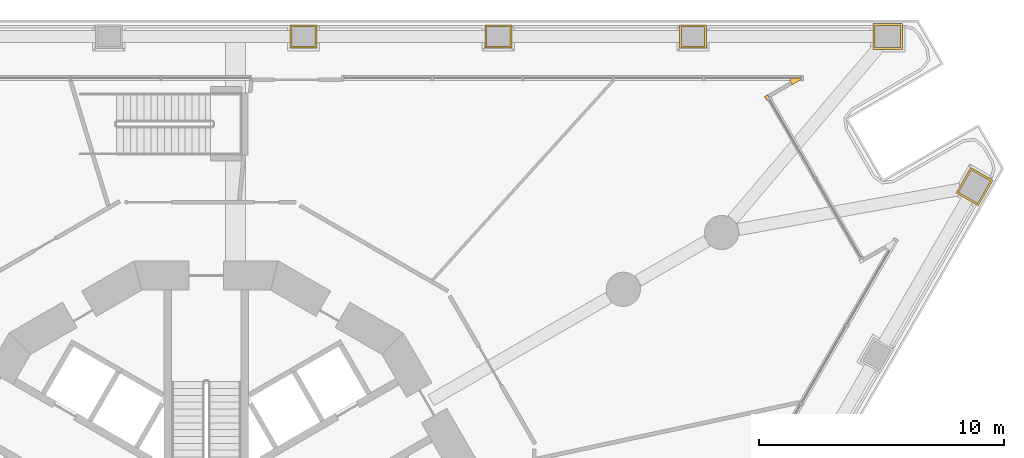
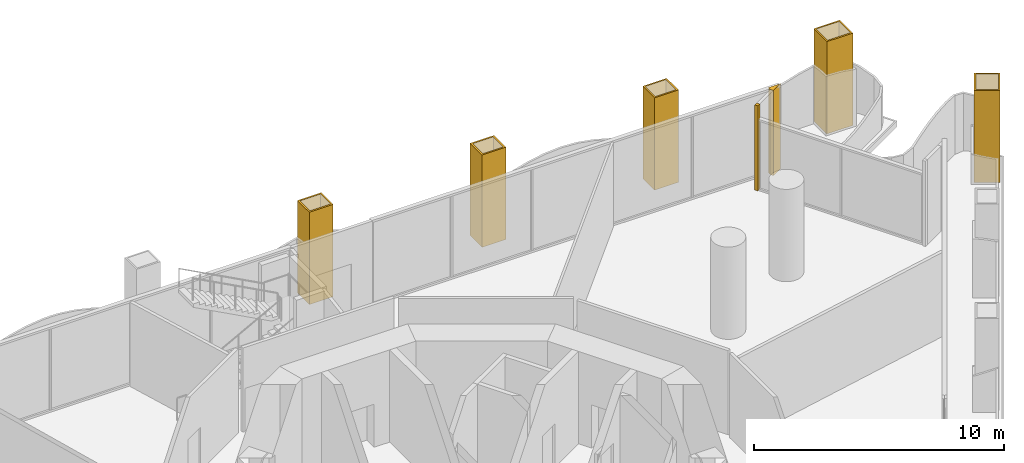
# One storey, part 21 of 21: 7 coverings.
"""IFC4 building model written with IfcOpenShell, lengths in metres."""

from ifc_helpers import new_model, si_unit, direction, frame, origin, place, context, subcontext, project, spatial, polyline, outline, extrude, material, layer, layer_set, type_object, element, save


model = new_model("IFC4")

# Units and contexts
model_context = context("Model", 3, precision=1e-05, world=origin(), true_north=direction((0.0, 1.0)))
body_context = subcontext(model_context, "Body", "Model", "MODEL_VIEW")
ifc_project = project(units=[si_unit("LENGTHUNIT", "METRE"), si_unit("AREAUNIT", "SQUARE_METRE"), si_unit("VOLUMEUNIT", "CUBIC_METRE"), si_unit("PLANEANGLEUNIT", "RADIAN"), si_unit("MASSUNIT", "GRAM", prefix="KILO")], contexts=[model_context])

# Site, building, storey
site_placement = place(None, origin())
site = spatial("IfcSite", under=ifc_project, at=site_placement, CompositionType="ELEMENT")
building_placement = place(site_placement, origin())
building = spatial("IfcBuilding", under=site, at=building_placement, Name="Trine Commons Tower", CompositionType="ELEMENT")
storey_placement = place(building_placement, frame((0.0, 0.0, 9.0)))
storey = spatial("IfcBuildingStorey", under=building, at=storey_placement, Name="L01", CompositionType="ELEMENT", Elevation=9.0)

# Coverings
ifc_material_1 = material(Name="Aluminium-framed insulated wall panel", Category="aluminium")
ifc_layer_1 = layer(ifc_material_1, 0.14990234375)
ifc_layer_set_1 = layer_set([ifc_layer_1], Name="Aluminium-framed insulated wall panel")
covering_type_1 = type_object("IfcCoveringType", Name="Glazing corner post, aluminium", PredefinedType="CLADDING", material=ifc_layer_set_1)
covering_1_placement = place(storey_placement, origin())
element("IfcCovering", 1, at=covering_1_placement, inside=storey, type_object=covering_type_1, Name="Glazing corner post 1-05", PredefinedType="CLADDING", context=body_context, shape_type="SweptSolid", body=[
    extrude(outline(polyline([(103.96875, 80.714599609375), (104.45361328125, 80.99462890625), (103.893798828125, 80.99462890625), (103.893798828125, 80.844482421875), (103.96875, 80.714599609375)])), origin(), (0.0, 0.0, 1.0), 4.14990234375),
])
covering_2_placement = place(storey_placement, origin())
element("IfcCovering", 2, at=covering_2_placement, inside=storey, type_object=covering_type_1, Name="Glazing corner post 1-06", PredefinedType="CLADDING", context=body_context, shape_type="SweptSolid", body=[
    extrude(outline(polyline([(102.898681640625, 80.0966796875), (103.028564453125, 80.171875), (102.95361328125, 80.3017578125), (102.823486328125, 80.226806640625), (102.898681640625, 80.0966796875)])), origin(), (0.0, 0.0, 1.0), 4.14990234375),
])
ifc_material_2 = material(Name="Limestone, honed", Category="masonry")
ifc_layer_2 = layer(ifc_material_2, 0.074951171875)
ifc_layer_set_2 = layer_set([ifc_layer_2], Name="Limestone, honed")
covering_type_2 = type_object("IfcCoveringType", Name="Limestone column cladding 75", PredefinedType="CLADDING", material=ifc_layer_set_2)
covering_3_placement = place(storey_placement, origin())
element("IfcCovering", 3, at=covering_3_placement, inside=storey, type_object=covering_type_2, Name="Limestone pier cladding 1-13", PredefinedType="CLADDING", context=body_context, shape_type="SweptSolid", body=[
    extrude(outline(polyline([(84.53173828125, 82.209716796875), (84.53173828125, 83.15966796875), (83.431640625, 83.15966796875), (83.431640625, 82.209716796875), (84.53173828125, 82.209716796875)]), holes=[polyline([(84.456787109375, 82.28466796875), (84.456787109375, 83.084716796875), (83.506591796875, 83.084716796875), (83.506591796875, 82.28466796875), (84.456787109375, 82.28466796875)])]), origin(), (0.0, 0.0, 1.0), 4.5),
])
covering_4_placement = place(storey_placement, origin())
element("IfcCovering", 4, at=covering_4_placement, inside=storey, type_object=covering_type_2, Name="Limestone pier cladding 1-14", PredefinedType="CLADDING", context=body_context, shape_type="SweptSolid", body=[
    extrude(outline(polyline([(92.4951171875, 82.209716796875), (92.4951171875, 83.15966796875), (91.39501953125, 83.15966796875), (91.39501953125, 82.209716796875), (92.4951171875, 82.209716796875)]), holes=[polyline([(92.420166015625, 82.28466796875), (92.420166015625, 83.084716796875), (91.47021484375, 83.084716796875), (91.47021484375, 82.28466796875), (92.420166015625, 82.28466796875)])]), origin(), (0.0, 0.0, 1.0), 4.5),
])
covering_5_placement = place(storey_placement, origin())
element("IfcCovering", 5, at=covering_5_placement, inside=storey, type_object=covering_type_2, Name="Limestone pier cladding 1-15", PredefinedType="CLADDING", context=body_context, shape_type="SweptSolid", body=[
    extrude(outline(polyline([(100.45849609375, 82.209716796875), (100.45849609375, 83.15966796875), (99.3583984375, 83.15966796875), (99.3583984375, 82.209716796875), (100.45849609375, 82.209716796875)]), holes=[polyline([(100.38330078125, 82.28466796875), (100.38330078125, 83.084716796875), (99.433349609375, 83.084716796875), (99.433349609375, 82.28466796875), (100.38330078125, 82.28466796875)])]), origin(), (0.0, 0.0, 1.0), 4.5),
])
covering_6_placement = place(storey_placement, origin())
element("IfcCovering", 6, at=covering_6_placement, inside=storey, type_object=covering_type_2, Name="Limestone pier cladding 1-16", PredefinedType="CLADDING", context=body_context, shape_type="SweptSolid", body=[
    extrude(outline(polyline([(108.4716796875, 82.15966796875), (108.4716796875, 83.209716796875), (107.271728515625, 83.209716796875), (107.271728515625, 82.15966796875), (108.4716796875, 82.15966796875)]), holes=[polyline([(108.396728515625, 82.234619140625), (108.396728515625, 83.134521484375), (107.3466796875, 83.134521484375), (107.3466796875, 82.234619140625), (108.396728515625, 82.234619140625)])]), origin(), (0.0, 0.0, 1.0), 4.5),
])
covering_7_placement = place(storey_placement, origin())
element("IfcCovering", 7, at=covering_7_placement, inside=storey, type_object=covering_type_2, Name="Limestone pier cladding 1-17", PredefinedType="CLADDING", context=body_context, shape_type="SweptSolid", body=[
    extrude(outline(polyline([(112.1708984375, 76.802490234375), (111.26171875, 77.327392578125), (110.66162109375, 76.288330078125), (111.571044921875, 75.76318359375), (112.1708984375, 76.802490234375)]), holes=[polyline([(112.068603515625, 76.775146484375), (111.2890625, 77.22509765625), (110.76416015625, 76.315673828125), (111.54345703125, 75.86572265625), (112.068603515625, 76.775146484375)])]), origin(), (0.0, 0.0, 1.0), 4.5),
])

save(model, "model.ifc")
